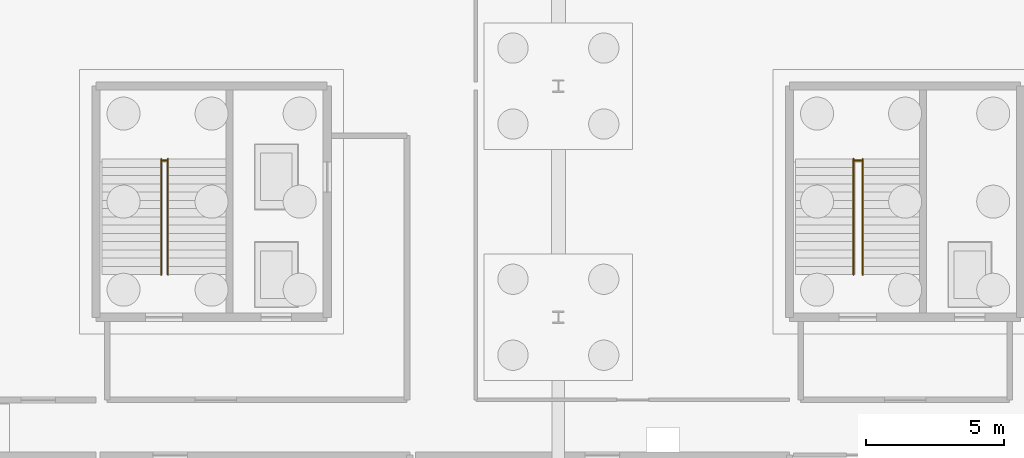
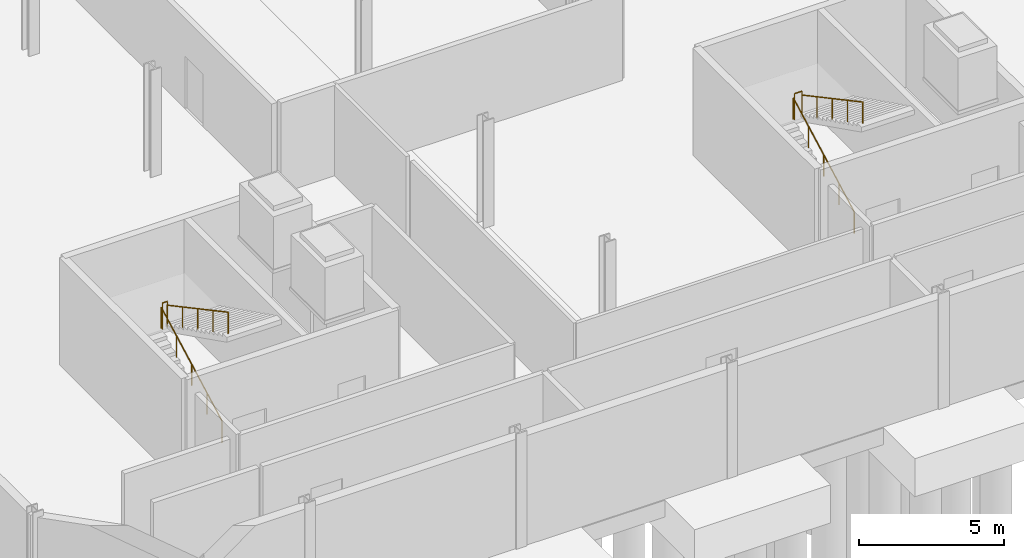
# One storey, part 46 of 51: 6 railings.
"""IFC4 building model written with IfcOpenShell, lengths in metres."""

from ifc_helpers import new_model, si_unit, direction, frame, origin, origin_2d, place, context, subcontext, project, spatial, circle, extrude, material, type_object, element, save


model = new_model("IFC4")

# Units and contexts
model_context = context("Model", 3, precision=1e-05, world=origin(), true_north=direction((0.0, 1.0)))
body_context = subcontext(model_context, "Body", "Model", "MODEL_VIEW")
ifc_project = project(units=[si_unit("LENGTHUNIT", "METRE"), si_unit("AREAUNIT", "SQUARE_METRE"), si_unit("VOLUMEUNIT", "CUBIC_METRE"), si_unit("PLANEANGLEUNIT", "RADIAN"), si_unit("MASSUNIT", "GRAM", prefix="KILO")], contexts=[model_context])

# Site, building, storey
site_placement = place(None, origin())
site = spatial("IfcSite", under=ifc_project, at=site_placement, CompositionType="ELEMENT")
building_placement = place(site_placement, origin())
building = spatial("IfcBuilding", under=site, at=building_placement, Name="Qalvenar Corner Mobility Hub", CompositionType="ELEMENT")
storey_placement = place(building_placement, frame((0.0, 0.0, -4.5)))
storey = spatial("IfcBuildingStorey", under=building, at=storey_placement, Name="B1", CompositionType="ELEMENT", Elevation=-4.5)

# Railings
ifc_material_1 = material(Name="Art Nouveau Bronze-Finished Steel Balustrade", Category="steel")
railing_type_1 = type_object("IfcRailingType", Name="RL-GUARD-110", PredefinedType="GUARDRAIL", material=ifc_material_1)
railing_1_placement = place(storey_placement, frame((10.7900390625, 14.10009765625, 2.25)))
element("IfcRailing", 1, at=railing_1_placement, inside=storey, type_object=railing_type_1, Name="Stair Half-Landing Well Guard ST1-B1", PredefinedType="GUARDRAIL", context=body_context, shape_type="SweptSolid", body=[
    extrude(circle(Radius=0.02392578125, at=origin_2d()), frame((0.0, 0.0, 1.09619140625), z_axis=(1.0, 0.0, 0.0), x_axis=(0.0, 1.0, 0.0)), (0.0, 0.0, 1.0), 0.199951171875),
    extrude(circle(Radius=0.02099609375, at=origin_2d()), origin(), (0.0, 0.0, 1.0), 1.072021484375),
    extrude(circle(Radius=0.02099609375, at=origin_2d()), frame((0.199951171875, 0.0, 0.0)), (0.0, 0.0, 1.0), 1.072021484375),
])
railing_2_placement = place(storey_placement, frame((35.93994140625, 14.10009765625, 2.25)))
element("IfcRailing", 2, at=railing_2_placement, inside=storey, type_object=railing_type_1, Name="Stair Half-Landing Well Guard ST2-B1", PredefinedType="GUARDRAIL", context=body_context, shape_type="SweptSolid", body=[
    extrude(circle(Radius=0.02392578125, at=origin_2d()), frame((0.0, 0.0, 1.09619140625), z_axis=(1.0, 0.0, 0.0), x_axis=(0.0, 1.0, 0.0)), (0.0, 0.0, 1.0), 0.300048828125),
    extrude(circle(Radius=0.02099609375, at=origin_2d()), origin(), (0.0, 0.0, 1.0), 1.072021484375),
    extrude(circle(Radius=0.02099609375, at=origin_2d()), frame((0.300048828125, 0.0, 0.0)), (0.0, 0.0, 1.0), 1.072021484375),
])
ifc_material_2 = material(Name="Brushed Stainless Steel Handrail", Category="steel")
railing_type_2 = type_object("IfcRailingType", Name="RL-HAND-092", PredefinedType="HANDRAIL", material=ifc_material_2)
railing_3_placement = place(storey_placement, frame((10.77001953125, 9.949951171875, 0.0)))
element("IfcRailing", 3, at=railing_3_placement, inside=storey, type_object=railing_type_2, Name="Stair Handrail ST1-B1-1", PredefinedType="HANDRAIL", context=body_context, shape_type="SweptSolid", body=[
    extrude(circle(Radius=0.02392578125, at=origin_2d()), frame((0.0, 0.0, 0.89599609375), z_axis=(0.0, 0.881477684796, 0.472225678258), x_axis=(-1.0, 0.0, 0.0)), (0.0, 0.0, 1.0), 4.7646484375),
    extrude(circle(Radius=0.02099609375, at=origin_2d()), origin(), (0.0, 0.0, 1.0), 0.871826171875),
    extrude(circle(Radius=0.02099609375, at=origin_2d()), frame((0.0, 1.050048828125, 0.5625)), (0.0, 0.0, 1.0), 0.871826171875),
    extrude(circle(Radius=0.02099609375, at=origin_2d()), frame((0.0, 2.10009765625, 1.125)), (0.0, 0.0, 1.0), 0.871826171875),
    extrude(circle(Radius=0.02099609375, at=origin_2d()), frame((0.0, 3.14990234375, 1.6875)), (0.0, 0.0, 1.0), 0.871826171875),
    extrude(circle(Radius=0.02099609375, at=origin_2d()), frame((0.0, 4.199951171875, 2.25)), (0.0, 0.0, 1.0), 0.871826171875),
])
railing_4_placement = place(storey_placement, frame((11.010009765625, 14.14990234375, 2.25)))
element("IfcRailing", 4, at=railing_4_placement, inside=storey, type_object=railing_type_2, Name="Stair Handrail ST1-B1-2", PredefinedType="HANDRAIL", context=body_context, shape_type="SweptSolid", body=[
    extrude(circle(Radius=0.02392578125, at=origin_2d()), frame((0.0, 0.0, 0.89599609375), z_axis=(0.0, -0.881477684796, 0.472225678258), x_axis=(1.0, 0.0, 0.0)), (0.0, 0.0, 1.0), 4.7646484375),
    extrude(circle(Radius=0.02099609375, at=origin_2d()), origin(), (0.0, 0.0, 1.0), 0.871826171875),
    extrude(circle(Radius=0.02099609375, at=origin_2d()), frame((0.0, -1.050048828125, 0.5625)), (0.0, 0.0, 1.0), 0.871826171875),
    extrude(circle(Radius=0.02099609375, at=origin_2d()), frame((0.0, -2.10009765625, 1.125)), (0.0, 0.0, 1.0), 0.871826171875),
    extrude(circle(Radius=0.02099609375, at=origin_2d()), frame((0.0, -3.14990234375, 1.6875)), (0.0, 0.0, 1.0), 0.871826171875),
    extrude(circle(Radius=0.02099609375, at=origin_2d()), frame((0.0, -4.199951171875, 2.25)), (0.0, 0.0, 1.0), 0.871826171875),
])
railing_5_placement = place(storey_placement, frame((35.919921875, 9.949951171875, 0.0)))
element("IfcRailing", 5, at=railing_5_placement, inside=storey, type_object=railing_type_2, Name="Stair Handrail ST2-B1-1", PredefinedType="HANDRAIL", context=body_context, shape_type="SweptSolid", body=[
    extrude(circle(Radius=0.02392578125, at=origin_2d()), frame((0.0, 0.0, 0.89599609375), z_axis=(0.0, 0.881477684796, 0.472225678258), x_axis=(-1.0, 0.0, 0.0)), (0.0, 0.0, 1.0), 4.7646484375),
    extrude(circle(Radius=0.02099609375, at=origin_2d()), origin(), (0.0, 0.0, 1.0), 0.871826171875),
    extrude(circle(Radius=0.02099609375, at=origin_2d()), frame((0.0, 1.050048828125, 0.5625)), (0.0, 0.0, 1.0), 0.871826171875),
    extrude(circle(Radius=0.02099609375, at=origin_2d()), frame((0.0, 2.10009765625, 1.125)), (0.0, 0.0, 1.0), 0.871826171875),
    extrude(circle(Radius=0.02099609375, at=origin_2d()), frame((0.0, 3.14990234375, 1.6875)), (0.0, 0.0, 1.0), 0.871826171875),
    extrude(circle(Radius=0.02099609375, at=origin_2d()), frame((0.0, 4.199951171875, 2.25)), (0.0, 0.0, 1.0), 0.871826171875),
])
railing_6_placement = place(storey_placement, frame((36.260009765625, 14.14990234375, 2.25)))
element("IfcRailing", 6, at=railing_6_placement, inside=storey, type_object=railing_type_2, Name="Stair Handrail ST2-B1-2", PredefinedType="HANDRAIL", context=body_context, shape_type="SweptSolid", body=[
    extrude(circle(Radius=0.02392578125, at=origin_2d()), frame((0.0, 0.0, 0.89599609375), z_axis=(0.0, -0.881477684796, 0.472225678258), x_axis=(1.0, 0.0, 0.0)), (0.0, 0.0, 1.0), 4.7646484375),
    extrude(circle(Radius=0.02099609375, at=origin_2d()), origin(), (0.0, 0.0, 1.0), 0.871826171875),
    extrude(circle(Radius=0.02099609375, at=origin_2d()), frame((0.0, -1.050048828125, 0.5625)), (0.0, 0.0, 1.0), 0.871826171875),
    extrude(circle(Radius=0.02099609375, at=origin_2d()), frame((0.0, -2.10009765625, 1.125)), (0.0, 0.0, 1.0), 0.871826171875),
    extrude(circle(Radius=0.02099609375, at=origin_2d()), frame((0.0, -3.14990234375, 1.6875)), (0.0, 0.0, 1.0), 0.871826171875),
    extrude(circle(Radius=0.02099609375, at=origin_2d()), frame((0.0, -4.199951171875, 2.25)), (0.0, 0.0, 1.0), 0.871826171875),
])

save(model, "model.ifc")
